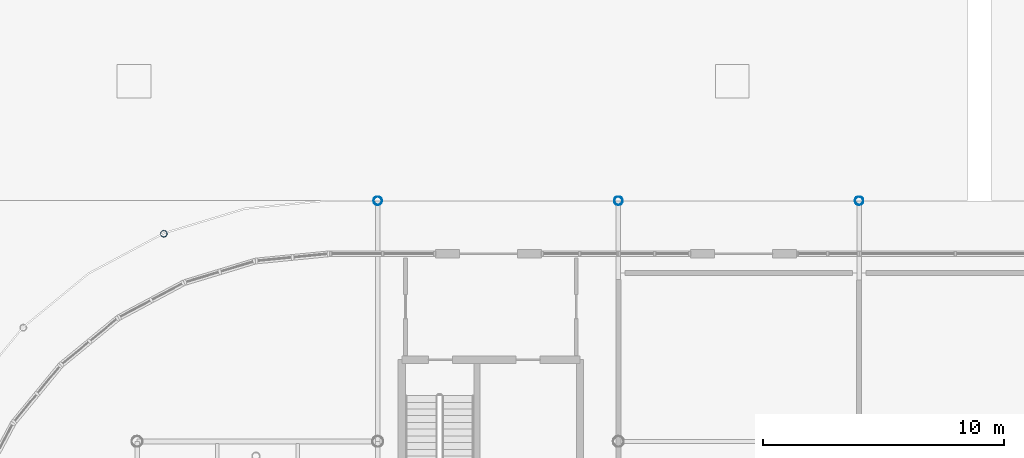
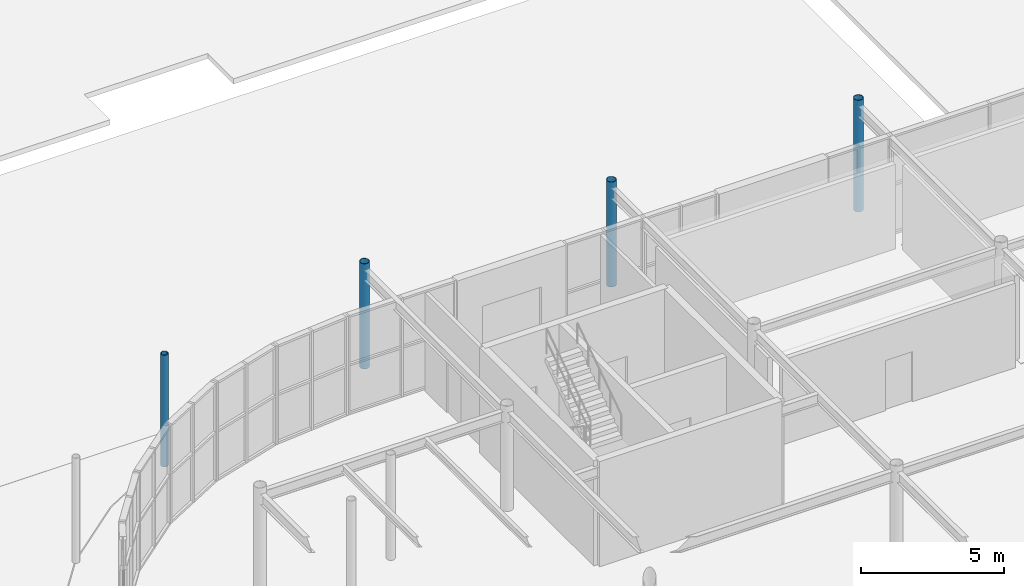
# One storey, part 18 of 119: 4 columns.
"""IFC4 building model written with IfcOpenShell, lengths in metres."""

from ifc_helpers import new_model, si_unit, derived_unit, direction, frame, origin, origin_2d_with_axis, place, context, subcontext, project, spatial, hollow_circle, extrude, material, material_profile, profile_set, type_object, element, save


model = new_model("IFC4")

# Units and contexts
model_context = context("Model", 3, precision=1e-05, world=origin(), true_north=direction((0.0, 1.0)))
body_context = subcontext(model_context, "Body", "Model", "MODEL_VIEW")
ifc_project = project(units=[si_unit("LENGTHUNIT", "METRE"), si_unit("AREAUNIT", "SQUARE_METRE"), si_unit("VOLUMEUNIT", "CUBIC_METRE"), si_unit("PLANEANGLEUNIT", "RADIAN"), si_unit("MASSUNIT", "GRAM", prefix="KILO"), derived_unit("THERMALTRANSMITTANCEUNIT", [(si_unit("POWERUNIT", "WATT"), 1), (si_unit("LENGTHUNIT", "METRE"), -2), (si_unit("THERMODYNAMICTEMPERATUREUNIT", "KELVIN"), -1)])], contexts=[model_context])

# Site, building, storey
site_placement = place(None, origin())
site = spatial("IfcSite", under=ifc_project, at=site_placement, CompositionType="ELEMENT")
building_placement = place(site_placement, origin())
building = spatial("IfcBuilding", under=site, at=building_placement, Name="Cinnabar Yard Market Hall", CompositionType="ELEMENT")
storey_placement = place(building_placement, origin())
storey = spatial("IfcBuildingStorey", under=building, at=storey_placement, Name="L00", CompositionType="ELEMENT", Elevation=0.0)

# Columns
ifc_material = material(Name="Spotted-gum glulam-clad steel Grade 350 (350 MPa)", Category="steel")
ifc_material_profile_1 = material_profile(ifc_material, hollow_circle(Radius=0.177734375, WallThickness=0.0126953125, at=origin_2d_with_axis()), Name="355.6x12.7CHS")
ifc_profile_set_1 = profile_set([ifc_material_profile_1], Name="Spotted-gum glulam-clad steel Grade 350 (350 MPa)")
column_type_1 = type_object("IfcColumnType", Name="COL-C02E", PredefinedType="COLUMN", material=ifc_profile_set_1)
for number, where, z_axis, x_axis, name in (
    (1, (86.0, 74.0, 0.0), (0.0, 0.0, 1.0), (1.0, 0.0, 0.0), "Tree Column V1N-01 L00"),
    (2, (96.0, 74.0, 0.0), (0.0, 0.0, 1.0), (1.0, 0.0, 0.0), "Tree Column V1N-02 L00"),
):
    element("IfcColumn", number, at=place(storey_placement, frame(where, z_axis=z_axis, x_axis=x_axis)), inside=storey, type_object=column_type_1, Name=name, PredefinedType="COLUMN", context=body_context, shape_type="SweptSolid", body=[
        extrude(hollow_circle(Radius=0.177734375, WallThickness=0.0126953125, at=origin_2d_with_axis()), origin(), (0.0, 0.0, 1.0), 4.5),
    ])
column_1_placement = place(storey_placement, frame((106.0, 74.0, -0.280029296875), z_axis=(0.0, 0.0, 1.0), x_axis=(1.0, 0.0, 0.0)))
element("IfcColumn", 3, at=column_1_placement, inside=storey, type_object=column_type_1, Name="Tree Column V1N-03 L00", PredefinedType="COLUMN", context=body_context, shape_type="SweptSolid", body=[
    extrude(hollow_circle(Radius=0.177734375, WallThickness=0.0126953125, at=origin_2d_with_axis()), origin(), (0.0, 0.0, 1.0), 4.780029296875),
])
ifc_material_profile_2 = material_profile(ifc_material, hollow_circle(Radius=0.136474609375, WallThickness=0.00927734375, at=origin_2d_with_axis()), Name="273.1x9.3CHS")
ifc_profile_set_2 = profile_set([ifc_material_profile_2], Name="Spotted-gum glulam-clad steel Grade 350 (350 MPa)")
column_type_2 = type_object("IfcColumnType", Name="COL-C04E", PredefinedType="COLUMN", material=ifc_profile_set_2)
column_2_placement = place(storey_placement, frame((77.11181640625, 72.6298828125, -0.280029296875), z_axis=(0.0, 0.0, 1.0), x_axis=(1.0, 0.0, 0.0)))
element("IfcColumn", 4, at=column_2_placement, inside=storey, type_object=column_type_2, Name="Tree Column V1C-NW2 L00", PredefinedType="COLUMN", context=body_context, shape_type="SweptSolid", body=[
    extrude(hollow_circle(Radius=0.136474609375, WallThickness=0.00927734375, at=origin_2d_with_axis()), origin(), (0.0, 0.0, 1.0), 4.780029296875),
])

save(model, "model.ifc")
